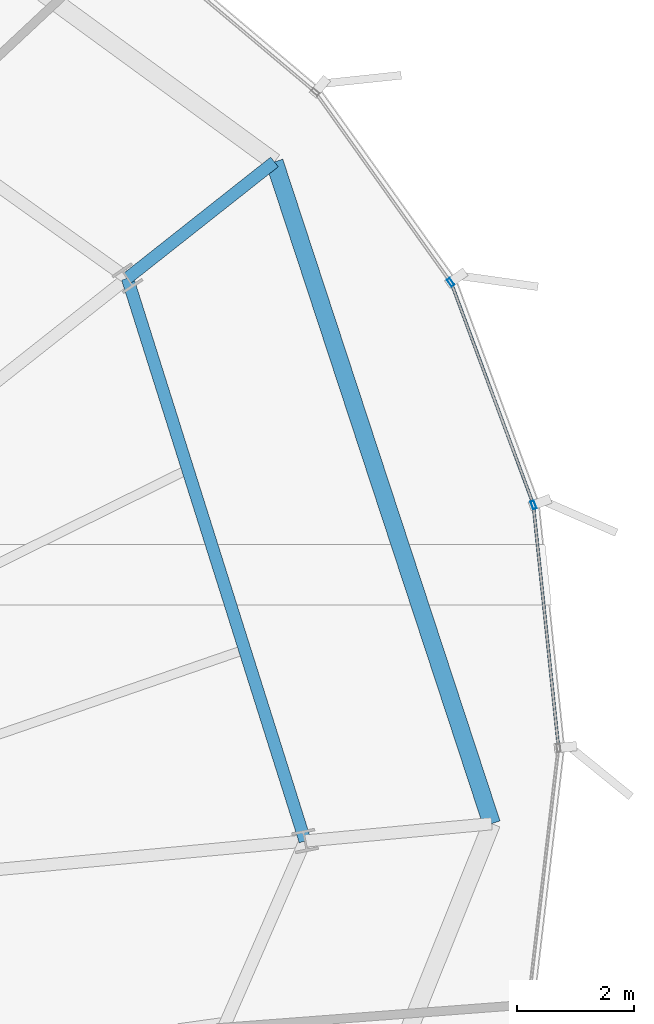
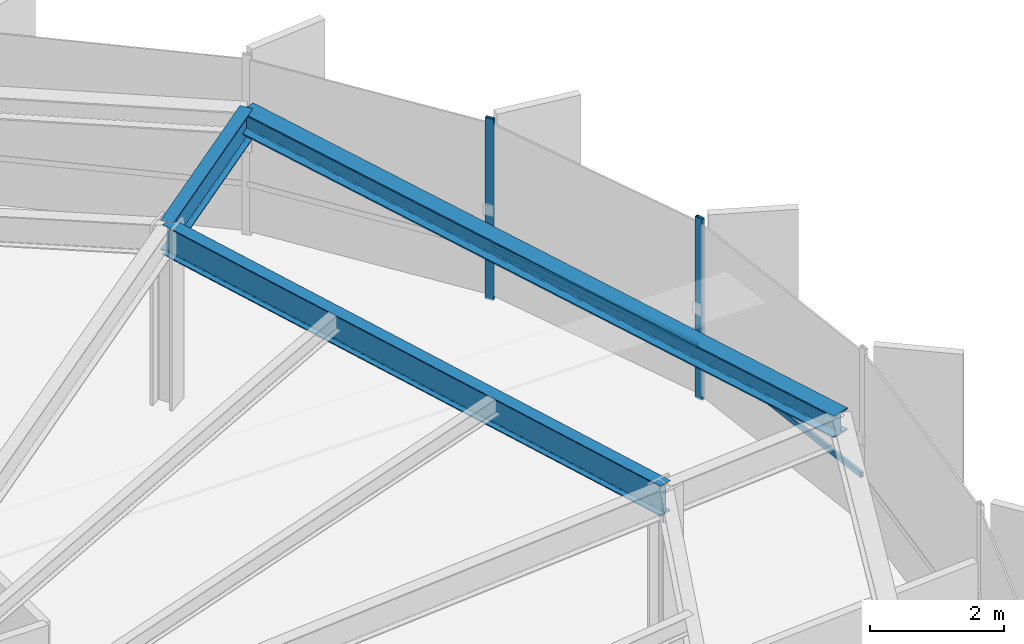
# One storey, part 25 of 35: 4 members, 3 beams, 2 elements without a shape of their own.
"""IFC4 building model written with IfcOpenShell, lengths in metres."""

import ifcopenshell
import ifcopenshell.guid

model = None  # the IFC model being written
_history = None  # IfcOwnerHistory: only IFC2X3 demands one
_inside = {}  # id of a spatial element -> (the spatial element, [elements in it])
_under = {}  # id of a project, library or spatial element -> (it, [spatial elements below it])
_declared = {}  # id of a project -> (the project, [libraries it declares])
_typed = {}  # id of a type object -> (the type object, [elements of that type])
_made_of = {}  # id of a material, layer set ... -> (it, [elements and type objects made of it])


def new_model(schema):
    """Start an empty IFC model of exactly this schema.

    Asked for "IFC4X3", IfcOpenShell would pick the latest addendum, in which some entities
    have other attributes; the version numbers below select the first issue.
    IFC2X3 requires an IfcOwnerHistory on every rooted entity: one is made here for all.
    """
    global model, _history
    if schema == "IFC4X3":
        model = ifcopenshell.file(schema_version=(4, 3, 0, 0))
    else:
        model = ifcopenshell.file(schema=schema)
    _inside.clear()
    _under.clear()
    _declared.clear()
    _typed.clear()
    _made_of.clear()
    _history = None
    if model.schema == "IFC2X3":
        org = make("IfcOrganization", Name="unknown")
        user = make(
            "IfcPersonAndOrganization",
            ThePerson=make("IfcPerson", FamilyName="unknown"),
            TheOrganization=org,
        )
        app = make(
            "IfcApplication",
            ApplicationDeveloper=org,
            Version="unknown",
            ApplicationFullName="unknown",
            ApplicationIdentifier="unknown",
        )
        _history = make(
            "IfcOwnerHistory",
            OwningUser=user,
            OwningApplication=app,
            ChangeAction="ADDED",
            CreationDate=0,
        )
    return model


def make(cls, **values):
    """One entity of the class cls with the attributes given. An attribute that is None is left unset."""
    return model.create_entity(
        cls, **{name: value for name, value in values.items() if value is not None}
    )


def rooted(cls, **values):
    """An entity with a GlobalId (a new one), such as an element, a storey or a relation."""
    return make(cls, GlobalId=ifcopenshell.guid.new(), OwnerHistory=_history, **values)


def si_unit(unit_type, name, prefix=None):
    """IfcSIUnit, for example si_unit("LENGTHUNIT", "METRE", prefix="MILLI")."""
    return make("IfcSIUnit", UnitType=unit_type, Prefix=prefix, Name=name)


def assignment(units):
    """IfcUnitAssignment: the units of a project."""
    return None if units is None else make("IfcUnitAssignment", Units=units)


def point(xyz):
    """IfcCartesianPoint."""
    return None if xyz is None else make("IfcCartesianPoint", Coordinates=xyz)


def direction(xyz):
    """IfcDirection."""
    return None if xyz is None else make("IfcDirection", DirectionRatios=xyz)


def frame(location, z_axis=None, x_axis=None):
    """IfcAxis2Placement3D, a coordinate frame: its origin and axes. An axis left out is left unset."""
    return make(
        "IfcAxis2Placement3D",
        Location=point(location),
        Axis=direction(z_axis),
        RefDirection=direction(x_axis),
    )


def frame_2d(location, x_axis=None):
    """IfcAxis2Placement2D, a coordinate frame in the plane: its origin and x axis."""
    return make(
        "IfcAxis2Placement2D", Location=point(location), RefDirection=direction(x_axis)
    )


def origin():
    """The frame at (0, 0, 0) with its axes left unset."""
    return frame((0.0, 0.0, 0.0))


def origin_2d():
    """The frame at (0, 0) in the plane with its x axis left unset."""
    return frame_2d((0.0, 0.0))


def place(relative_to, where):
    """IfcLocalPlacement: puts the frame where relative to a parent placement (None: the world)."""
    return make(
        "IfcLocalPlacement", PlacementRelTo=relative_to, RelativePlacement=where
    )


def context(
    kind, dimensions, precision=None, world=None, true_north=None, identifier=None
):
    """IfcGeometricRepresentationContext, for example the 3D "Model" context."""
    return make(
        "IfcGeometricRepresentationContext",
        ContextIdentifier=identifier,
        ContextType=kind,
        CoordinateSpaceDimension=dimensions,
        Precision=precision,
        WorldCoordinateSystem=world,
        TrueNorth=true_north,
    )


def subcontext(parent, identifier, kind, view, scale=None):
    """IfcGeometricRepresentationSubContext, for example "Body" below "Model"."""
    return make(
        "IfcGeometricRepresentationSubContext",
        ContextIdentifier=identifier,
        ContextType=kind,
        ParentContext=parent,
        TargetScale=scale,
        TargetView=view,
    )


def project(units=None, contexts=None):
    """IfcProject with its units and contexts."""
    return rooted(
        "IfcProject",
        Name="project",
        RepresentationContexts=contexts,
        UnitsInContext=assignment(units),
    )


def spatial(cls, under=None, at=None, **own):
    """A site, building, storey or space (cls), placed at a placement, below another one or the project."""
    s = rooted(cls, ObjectPlacement=at, **own)
    if under is not None:
        _under.setdefault(under.id(), (under, []))[1].append(s)
    return s


def profile(cls, at=None, kind="AREA", **sizes):
    """A parametric profile (cls). Its sizes go by their IFC names, for example OverallWidth=200.0."""
    return make(cls, ProfileType=kind, Position=at, **sizes)


def hollow_rectangle(**sizes):
    """IfcRectangleHollowProfileDef."""
    return profile("IfcRectangleHollowProfileDef", **sizes)


def i_section(**sizes):
    """IfcIShapeProfileDef."""
    return profile("IfcIShapeProfileDef", **sizes)


def extrude(swept, where, along, depth):
    """IfcExtrudedAreaSolid: the profile swept, set in the frame where, extruded along a direction by depth."""
    return make(
        "IfcExtrudedAreaSolid",
        SweptArea=swept,
        Position=where,
        ExtrudedDirection=direction(along),
        Depth=depth,
    )


def shape(context_of_items, identifier, shape_type, items):
    """IfcShapeRepresentation: the items that make up one representation, for example the "Body"."""
    return make(
        "IfcShapeRepresentation",
        ContextOfItems=context_of_items,
        RepresentationIdentifier=identifier,
        RepresentationType=shape_type,
        Items=items,
    )


def source(mapping_origin, context_of_items, identifier, shape_type, items):
    """IfcRepresentationMap: a shape defined once, which mapped items show again and again."""
    return make(
        "IfcRepresentationMap",
        MappingOrigin=mapping_origin,
        MappedRepresentation=shape(context_of_items, identifier, shape_type, items),
    )


def transform(
    local_origin,
    x_axis=None,
    y_axis=None,
    z_axis=None,
    scale=None,
    scale2=None,
    scale3=None,
    uniform=True,
):
    """IfcCartesianTransformationOperator3D, or its non-uniform kind. x_axis, y_axis, z_axis: its Axis1, 2, 3."""
    if uniform:
        return make(
            "IfcCartesianTransformationOperator3D",
            Axis1=direction(x_axis),
            Axis2=direction(y_axis),
            LocalOrigin=point(local_origin),
            Scale=scale,
            Axis3=direction(z_axis),
        )
    return make(
        "IfcCartesianTransformationOperator3DnonUniform",
        Axis1=direction(x_axis),
        Axis2=direction(y_axis),
        LocalOrigin=point(local_origin),
        Scale=scale,
        Axis3=direction(z_axis),
        Scale2=scale2,
        Scale3=scale3,
    )


def mapped(mapping_source, mapping_target):
    """IfcMappedItem: shows the shape of a source again, moved by a transform."""
    return make(
        "IfcMappedItem", MappingSource=mapping_source, MappingTarget=mapping_target
    )


def material(Name=None, Category=None):
    """IfcMaterial."""
    return make("IfcMaterial", Name=Name, Category=Category)


def layer(
    of_material, thickness, ventilated=None, Name=None, Category=None, Priority=None
):
    """IfcMaterialLayer: one layer of a wall or slab, of a material (None: an air gap)."""
    return make(
        "IfcMaterialLayer",
        Material=of_material,
        LayerThickness=thickness,
        IsVentilated=ventilated,
        Name=Name,
        Category=Category,
        Priority=Priority,
    )


def layer_set(layers, Name=None):
    """IfcMaterialLayerSet."""
    return make("IfcMaterialLayerSet", MaterialLayers=layers, LayerSetName=Name)


def material_profile(
    of_material, cross_section, Name=None, Category=None, Priority=None
):
    """IfcMaterialProfile: a cross section and its material."""
    return make(
        "IfcMaterialProfile",
        Name=Name,
        Material=of_material,
        Profile=cross_section,
        Priority=Priority,
        Category=Category,
    )


def profile_set(profiles, Name=None, composite=None):
    """IfcMaterialProfileSet."""
    return make(
        "IfcMaterialProfileSet",
        Name=Name,
        MaterialProfiles=profiles,
        CompositeProfile=composite,
    )


def made_of(thing, what):
    """Note that an element or type object is made of a material, layer set ...; save() writes the relation."""
    if what is not None:
        _made_of.setdefault(what.id(), (what, []))[1].append(thing)
    return thing


def type_object(cls, material=None, **own):
    """A type object (cls), such as IfcWallType, which elements share."""
    return made_of(rooted(cls, **own), material)


def element(
    cls,
    number,
    at=None,
    inside=None,
    cuts=None,
    type_object=None,
    material=None,
    context=None,
    identifier="Body",
    shape_type=None,
    held_by="IfcProductDefinitionShape",
    body=None,
    shapes=None,
    **own,
):
    """One element of the class cls, such as IfcWall. Its Tag is "e" and its number.

    at: its placement. inside: the storey or other place that contains it. cuts: it is an
    opening in that element (IfcRelVoidsElement). A single representation is given by context,
    identifier, shape_type and body (its items); several are given by shapes. held_by: the class
    of the entity that holds the representations. save() writes the other relations.
    """
    e = rooted(cls, Tag="e%d" % number, ObjectPlacement=at, **own)
    if body is not None:
        shapes = [shape(context, identifier, shape_type, body)]
    if shapes is not None:
        e.Representation = make(held_by, Representations=shapes)
    if inside is not None:
        _inside.setdefault(inside.id(), (inside, []))[1].append(e)
    if cuts is not None:
        rooted(
            "IfcRelVoidsElement", RelatingBuildingElement=cuts, RelatedOpeningElement=e
        )
    if type_object is not None:
        _typed.setdefault(type_object.id(), (type_object, []))[1].append(e)
    return made_of(e, material)


def aggregate(whole, parts):
    """IfcRelAggregates: a whole, such as a stair, and the parts it consists of."""
    return rooted("IfcRelAggregates", RelatingObject=whole, RelatedObjects=parts)


def save(model, path):
    """Write the relations noted so far, then the file.

    IfcRelAggregates (storeys below a building ...), IfcRelContainedInSpatialStructure (elements
    in a storey), IfcRelDefinesByType, IfcRelAssociatesMaterial and IfcRelDeclares: one each for
    every whole, place, type object, material and project.
    """
    for whole, parts in _under.values():
        aggregate(whole, parts)
    for where, things in _inside.values():
        rooted(
            "IfcRelContainedInSpatialStructure",
            RelatedElements=things,
            RelatingStructure=where,
        )
    for kind, things in _typed.values():
        rooted("IfcRelDefinesByType", RelatedObjects=things, RelatingType=kind)
    for what, things in _made_of.values():
        rooted("IfcRelAssociatesMaterial", RelatedObjects=things, RelatingMaterial=what)
    for by, libraries in _declared.values():
        rooted("IfcRelDeclares", RelatingContext=by, RelatedDefinitions=libraries)
    model.write(path)


model = new_model("IFC4")

# Units and contexts
model_context = context("Model", 3, precision=1e-05, world=origin(), true_north=direction((0.0, 1.0)))
body_context = subcontext(model_context, "Body", "Model", "MODEL_VIEW")
ifc_project = project(units=[si_unit("LENGTHUNIT", "METRE"), si_unit("AREAUNIT", "SQUARE_METRE"), si_unit("VOLUMEUNIT", "CUBIC_METRE"), si_unit("PLANEANGLEUNIT", "RADIAN"), si_unit("MASSUNIT", "GRAM", prefix="KILO"), si_unit("THERMODYNAMICTEMPERATUREUNIT", "KELVIN")], contexts=[model_context])

# Site, building, storey
site_placement = place(None, origin())
site = spatial("IfcSite", under=ifc_project, at=site_placement, CompositionType="ELEMENT")
building_placement = place(site_placement, origin())
building = spatial("IfcBuilding", under=site, at=building_placement, Name="Kethvar Cultural Tower", CompositionType="ELEMENT")
storey_placement = place(building_placement, frame((0.0, 0.0, 146.550048828125)))
storey = spatial("IfcBuildingStorey", under=building, at=storey_placement, Name="L37", CompositionType="ELEMENT", Elevation=146.550048828125)

# Beams
ifc_material_1 = material(Name="Steel S355J2", Category="steel")
ifc_material_profile_1 = material_profile(ifc_material_1, i_section(OverallWidth=0.2099609375, OverallDepth=0.550048828125, WebThickness=0.010986328125, FlangeThickness=0.01708984375, FilletRadius=0.02392578125, at=origin_2d()), Name="Steel S355J2 — IPE550")
ifc_profile_set_1 = profile_set([ifc_material_profile_1], Name="Steel S355J2 — IPE550")
beam_type_1 = type_object("IfcBeamType", Name="BM-IPE550", PredefinedType="BEAM", material=ifc_profile_set_1)
shared_shape_1 = source(origin(), body_context, "Body", "SweptSolid", [
    extrude(i_section(OverallWidth=0.2099609375, OverallDepth=0.550048828125, WebThickness=0.010986328125, FlangeThickness=0.01708984375, FilletRadius=0.02392578125, at=origin_2d()), origin(), (0.0, 0.0, 1.0), 3.2001953125),
])
beam_1_placement = place(storey_placement, frame((68.568603515625, 42.34521484375, 3.02294921875), z_axis=(0.784650322996, 0.619938602301, 0.0), x_axis=(-0.619938602301, 0.784650322996, 0.0)))
element("IfcBeam", 1, at=beam_1_placement, inside=storey, type_object=beam_type_1, Name="L37 Perimeter Cantilever Beam RC-02", PredefinedType="BEAM", context=body_context, shape_type="MappedRepresentation", body=[
    mapped(shared_shape_1, transform((0.0, 0.0, 0.0), scale=1.0)),
])
shared_shape_2 = source(origin(), body_context, "Body", "SweptSolid", [
    extrude(i_section(OverallWidth=0.2099609375, OverallDepth=0.550048828125, WebThickness=0.010986328125, FlangeThickness=0.01708984375, FilletRadius=0.02392578125, at=origin_2d()), origin(), (0.0, 0.0, 1.0), 10.079345703125),
])
beam_2_placement = place(storey_placement, frame((71.6025390625, 32.7333984375, 3.02294921875), z_axis=(-0.301007326566, 0.953621827222, 0.0), x_axis=(-0.953621827222, -0.301007326566, 0.0)))
element("IfcBeam", 2, at=beam_2_placement, inside=storey, type_object=beam_type_1, Name="L37 Column Ring Tie Beam CR-01", PredefinedType="BEAM", context=body_context, shape_type="MappedRepresentation", body=[
    mapped(shared_shape_2, transform((0.0, 0.0, 0.0), scale=1.0)),
])
ifc_material_profile_2 = material_profile(ifc_material_1, i_section(OverallWidth=0.300048828125, OverallDepth=0.39990234375, WebThickness=0.013427734375, FlangeThickness=0.02392578125, FilletRadius=0.027099609375, at=origin_2d()), Name="Steel S355J2 — HEB400")
ifc_profile_set_2 = profile_set([ifc_material_profile_2], Name="Steel S355J2 — HEB400")
beam_type_2 = type_object("IfcBeamType", Name="BM-SP400", PredefinedType="SPANDREL", material=ifc_profile_set_2)
shared_shape_3 = source(origin(), body_context, "Body", "SweptSolid", [
    extrude(i_section(OverallWidth=0.300048828125, OverallDepth=0.39990234375, WebThickness=0.013427734375, FlangeThickness=0.02392578125, FilletRadius=0.027099609375, at=origin_2d()), origin(), (0.0, 0.0, 1.0), 11.8935546875),
])
beam_3_placement = place(storey_placement, frame((74.788818359375, 33.02880859375, 3.097900390625), z_axis=(-0.311870604739, 0.95012458441, 0.0), x_axis=(-0.95012458441, -0.311870604739, 0.0)))
element("IfcBeam", 3, at=beam_3_placement, inside=storey, type_object=beam_type_2, Name="L37 Perimeter Spandrel Beam SP-01", PredefinedType="SPANDREL", context=body_context, shape_type="MappedRepresentation", body=[
    mapped(shared_shape_3, transform((0.0, 0.0, 0.0), scale=1.0)),
])

# Curtain wall, member
ifc_material_2 = material(Name="Aluminium 6063-T6", Category="aluminium")
ifc_layer = layer(ifc_material_2, 0.179931640625, Name="Aluminium 6063-T6", Category="aluminium")
ifc_layer_set = layer_set([ifc_layer], Name="Aluminium 6063-T6 (180 mm)")
curtain_wall_type = type_object("IfcCurtainWallType", Name="CW-SYS-04-Z34", PredefinedType="NOTDEFINED", material=ifc_layer_set)
curtain_wall_1_placement = place(storey_placement, origin())
curtain_wall_1 = element("IfcCurtainWall", 4, at=curtain_wall_1_placement, inside=storey, type_object=curtain_wall_type, Name="L37 Curtain Wall Run 01", PredefinedType="NOTDEFINED")
ifc_material_profile_3 = material_profile(ifc_material_2, hollow_rectangle(XDim=0.06005859375, YDim=0.139892578125, WallThickness=0.0048828125, at=origin_2d()), Name="Aluminium 6063-T6 — RHS140x60x5")
ifc_profile_set_3 = profile_set([ifc_material_profile_3], Name="Aluminium 6063-T6 — RHS140x60x5")
member_type_1 = type_object("IfcMemberType", Name="CW-SYS-04-Z34-MUL", PredefinedType="MULLION", material=ifc_profile_set_3)
shared_shape_4 = source(origin(), body_context, "Body", "SweptSolid", [
    extrude(hollow_rectangle(XDim=0.06005859375, YDim=0.139892578125, WallThickness=0.0048828125, at=origin_2d()), origin(), (0.0, 0.0, 1.0), 3.300048828125),
])
member_1_placement = place(storey_placement, frame((74.08740234375, 42.275390625, 0.0), z_axis=(0.0, 0.0, 1.0), x_axis=(-0.814419462102, -0.58027660624, 0.0)))
member_1 = element("IfcMember", 5, at=member_1_placement, type_object=member_type_1, Name="CW-L37-R01 Mullion 1", PredefinedType="MULLION", context=body_context, shape_type="MappedRepresentation", body=[
    mapped(shared_shape_4, transform((0.0, 0.0, 0.0), scale=1.0)),
])
aggregate(curtain_wall_1, [member_1])

# Curtain wall, members
curtain_wall_2_placement = place(storey_placement, origin())
curtain_wall_2 = element("IfcCurtainWall", 6, at=curtain_wall_2_placement, inside=storey, type_object=curtain_wall_type, Name="L37 Curtain Wall Run 06", PredefinedType="NOTDEFINED")
member_2_placement = place(storey_placement, frame((75.503662109375, 38.471435546875, 0.0), z_axis=(0.0, 0.0, 1.0), x_axis=(-0.937707150974, -0.347426681491, 0.0)))
member_2 = element("IfcMember", 7, at=member_2_placement, type_object=member_type_1, Name="CW-L37-R06 Mullion 6", PredefinedType="MULLION", context=body_context, shape_type="MappedRepresentation", body=[
    mapped(shared_shape_4, transform((0.0, 0.0, 0.0), scale=1.0)),
])
ifc_material_profile_4 = material_profile(ifc_material_2, hollow_rectangle(XDim=0.050048828125, YDim=0.10009765625, WallThickness=0.00390625, at=origin_2d()), Name="Aluminium 6063-T6 — RHS100x50x4")
ifc_profile_set_4 = profile_set([ifc_material_profile_4], Name="Aluminium 6063-T6 — RHS100x50x4")
member_type_2 = type_object("IfcMemberType", Name="CW-SYS-04-Z34-TRN", PredefinedType="USERDEFINED", material=ifc_profile_set_4)
shared_shape_5 = source(origin(), body_context, "Body", "SweptSolid", [
    extrude(hollow_rectangle(XDim=0.050048828125, YDim=0.10009765625, WallThickness=0.00390625, at=origin_2d()), origin(), (0.0, 0.0, 1.0), 3.963623046875),
])
member_3_placement = place(storey_placement, frame((75.488525390625, 38.511962890625, 0.949951171875), z_axis=(-0.347394598665, 0.937719037248, 0.0), x_axis=(-0.937719037248, -0.347394598665, 0.0)))
member_3 = element("IfcMember", 8, at=member_3_placement, type_object=member_type_2, Name="CW-L37-R06 Transom 6", ObjectType="TRANSOM", PredefinedType="USERDEFINED", context=body_context, shape_type="MappedRepresentation", body=[
    mapped(shared_shape_5, transform((0.0, 0.0, 0.0), scale=1.0)),
])
shared_shape_6 = source(origin(), body_context, "Body", "SweptSolid", [
    extrude(hollow_rectangle(XDim=0.050048828125, YDim=0.10009765625, WallThickness=0.00390625, at=origin_2d()), origin(), (0.0, 0.0, 1.0), 4.111328125),
])
member_4_placement = place(storey_placement, frame((75.926513671875, 34.365966796875, 0.949951171875), z_axis=(-0.103265847359, 0.994653791411, 0.0), x_axis=(-0.994653791411, -0.103265847359, 0.0)))
member_4 = element("IfcMember", 9, at=member_4_placement, type_object=member_type_2, Name="CW-L37-R06 Transom 5", ObjectType="TRANSOM", PredefinedType="USERDEFINED", context=body_context, shape_type="MappedRepresentation", body=[
    mapped(shared_shape_6, transform((0.0, 0.0, 0.0), scale=1.0)),
])
aggregate(curtain_wall_2, [member_2, member_4, member_3])

save(model, "model.ifc")
